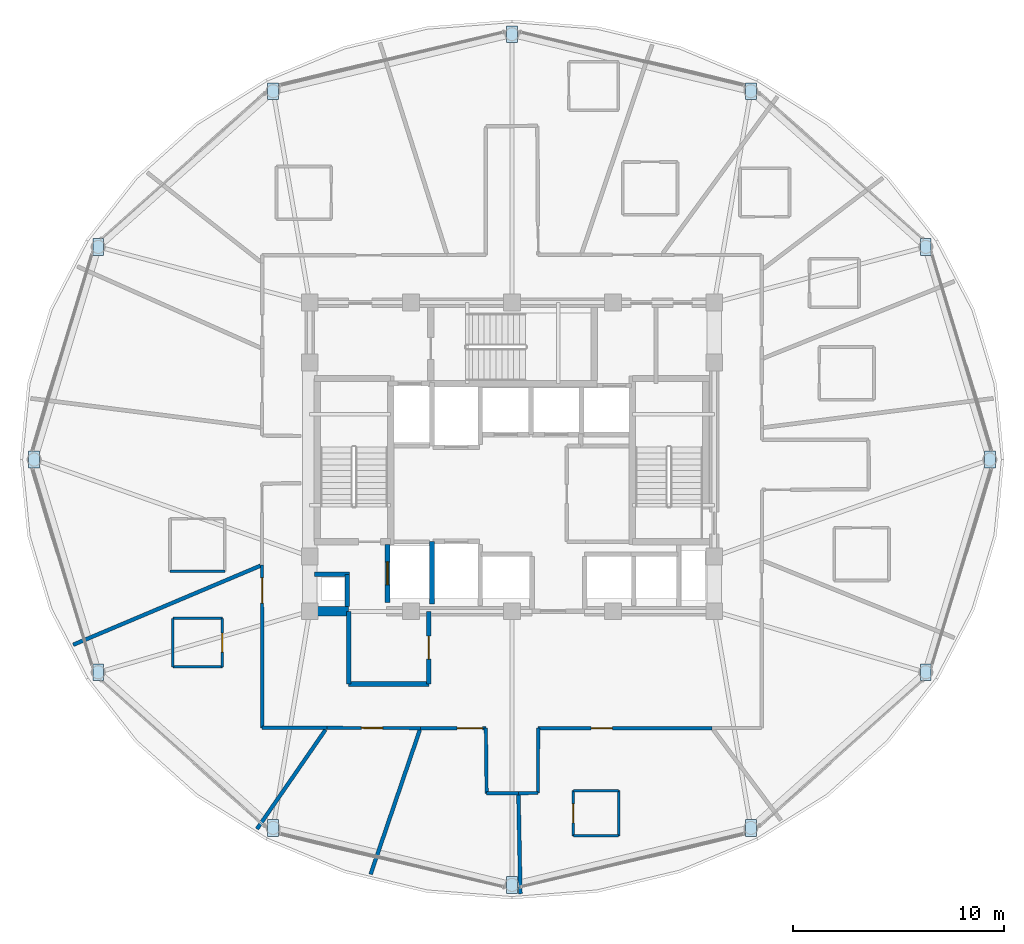
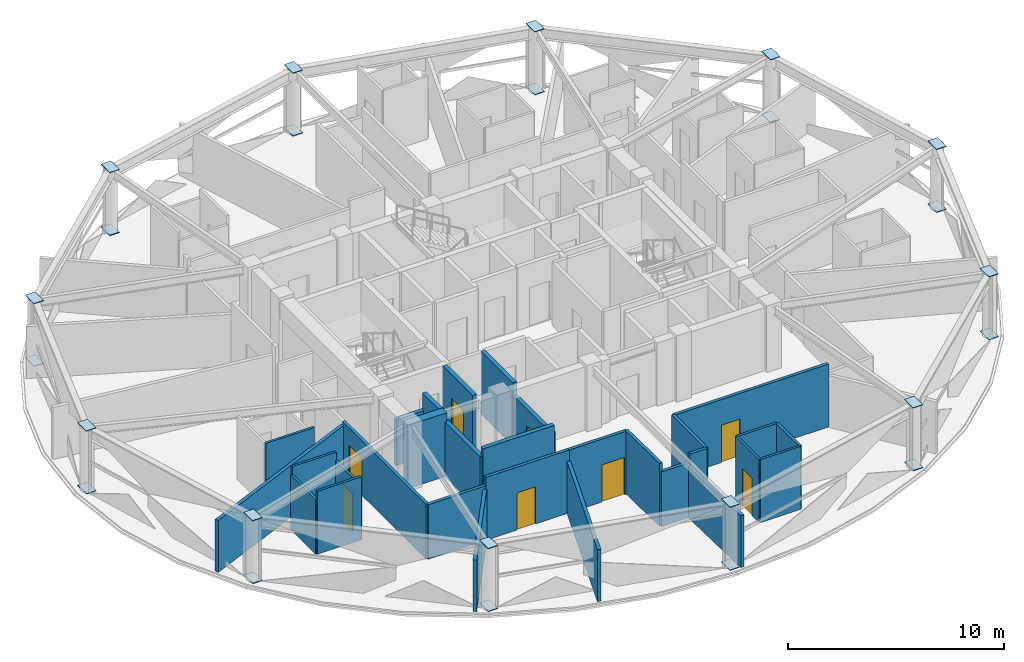
# One storey, part 22 of 30: 30 walls, 24 plates, 8 doors, 8 openings.
"""IFC4 building model written with IfcOpenShell, lengths in metres."""

import ifcopenshell
import ifcopenshell.guid

model = None  # the IFC model being written
_history = None  # IfcOwnerHistory: only IFC2X3 demands one
_inside = {}  # id of a spatial element -> (the spatial element, [elements in it])
_under = {}  # id of a project, library or spatial element -> (it, [spatial elements below it])
_declared = {}  # id of a project -> (the project, [libraries it declares])
_typed = {}  # id of a type object -> (the type object, [elements of that type])
_made_of = {}  # id of a material, layer set ... -> (it, [elements and type objects made of it])


def new_model(schema):
    """Start an empty IFC model of exactly this schema.

    Asked for "IFC4X3", IfcOpenShell would pick the latest addendum, in which some entities
    have other attributes; the version numbers below select the first issue.
    IFC2X3 requires an IfcOwnerHistory on every rooted entity: one is made here for all.
    """
    global model, _history
    if schema == "IFC4X3":
        model = ifcopenshell.file(schema_version=(4, 3, 0, 0))
    else:
        model = ifcopenshell.file(schema=schema)
    _inside.clear()
    _under.clear()
    _declared.clear()
    _typed.clear()
    _made_of.clear()
    _history = None
    if model.schema == "IFC2X3":
        org = make("IfcOrganization", Name="unknown")
        user = make(
            "IfcPersonAndOrganization",
            ThePerson=make("IfcPerson", FamilyName="unknown"),
            TheOrganization=org,
        )
        app = make(
            "IfcApplication",
            ApplicationDeveloper=org,
            Version="unknown",
            ApplicationFullName="unknown",
            ApplicationIdentifier="unknown",
        )
        _history = make(
            "IfcOwnerHistory",
            OwningUser=user,
            OwningApplication=app,
            ChangeAction="ADDED",
            CreationDate=0,
        )
    return model


def make(cls, **values):
    """One entity of the class cls with the attributes given. An attribute that is None is left unset."""
    return model.create_entity(
        cls, **{name: value for name, value in values.items() if value is not None}
    )


def rooted(cls, **values):
    """An entity with a GlobalId (a new one), such as an element, a storey or a relation."""
    return make(cls, GlobalId=ifcopenshell.guid.new(), OwnerHistory=_history, **values)


def si_unit(unit_type, name, prefix=None):
    """IfcSIUnit, for example si_unit("LENGTHUNIT", "METRE", prefix="MILLI")."""
    return make("IfcSIUnit", UnitType=unit_type, Prefix=prefix, Name=name)


def assignment(units):
    """IfcUnitAssignment: the units of a project."""
    return None if units is None else make("IfcUnitAssignment", Units=units)


def point(xyz):
    """IfcCartesianPoint."""
    return None if xyz is None else make("IfcCartesianPoint", Coordinates=xyz)


def direction(xyz):
    """IfcDirection."""
    return None if xyz is None else make("IfcDirection", DirectionRatios=xyz)


def frame(location, z_axis=None, x_axis=None):
    """IfcAxis2Placement3D, a coordinate frame: its origin and axes. An axis left out is left unset."""
    return make(
        "IfcAxis2Placement3D",
        Location=point(location),
        Axis=direction(z_axis),
        RefDirection=direction(x_axis),
    )


def frame_2d(location, x_axis=None):
    """IfcAxis2Placement2D, a coordinate frame in the plane: its origin and x axis."""
    return make(
        "IfcAxis2Placement2D", Location=point(location), RefDirection=direction(x_axis)
    )


def origin():
    """The frame at (0, 0, 0) with its axes left unset."""
    return frame((0.0, 0.0, 0.0))


def place(relative_to, where):
    """IfcLocalPlacement: puts the frame where relative to a parent placement (None: the world)."""
    return make(
        "IfcLocalPlacement", PlacementRelTo=relative_to, RelativePlacement=where
    )


def context(
    kind, dimensions, precision=None, world=None, true_north=None, identifier=None
):
    """IfcGeometricRepresentationContext, for example the 3D "Model" context."""
    return make(
        "IfcGeometricRepresentationContext",
        ContextIdentifier=identifier,
        ContextType=kind,
        CoordinateSpaceDimension=dimensions,
        Precision=precision,
        WorldCoordinateSystem=world,
        TrueNorth=true_north,
    )


def subcontext(parent, identifier, kind, view, scale=None):
    """IfcGeometricRepresentationSubContext, for example "Body" below "Model"."""
    return make(
        "IfcGeometricRepresentationSubContext",
        ContextIdentifier=identifier,
        ContextType=kind,
        ParentContext=parent,
        TargetScale=scale,
        TargetView=view,
    )


def project(units=None, contexts=None):
    """IfcProject with its units and contexts."""
    return rooted(
        "IfcProject",
        Name="project",
        RepresentationContexts=contexts,
        UnitsInContext=assignment(units),
    )


def spatial(cls, under=None, at=None, **own):
    """A site, building, storey or space (cls), placed at a placement, below another one or the project."""
    s = rooted(cls, ObjectPlacement=at, **own)
    if under is not None:
        _under.setdefault(under.id(), (under, []))[1].append(s)
    return s


def polyline(points):
    """IfcPolyline through the points."""
    return make("IfcPolyline", Points=[point(p) for p in points])


def profile(cls, at=None, kind="AREA", **sizes):
    """A parametric profile (cls). Its sizes go by their IFC names, for example OverallWidth=200.0."""
    return make(cls, ProfileType=kind, Position=at, **sizes)


def rectangle(**sizes):
    """IfcRectangleProfileDef."""
    return profile("IfcRectangleProfileDef", **sizes)


def outline(outer, holes=None, kind="AREA"):
    """IfcArbitraryClosedProfileDef: a profile drawn as a closed curve; with holes, ...WithVoids."""
    if holes is None:
        return make("IfcArbitraryClosedProfileDef", ProfileType=kind, OuterCurve=outer)
    return make(
        "IfcArbitraryProfileDefWithVoids",
        ProfileType=kind,
        OuterCurve=outer,
        InnerCurves=holes,
    )


def extrude(swept, where, along, depth):
    """IfcExtrudedAreaSolid: the profile swept, set in the frame where, extruded along a direction by depth."""
    return make(
        "IfcExtrudedAreaSolid",
        SweptArea=swept,
        Position=where,
        ExtrudedDirection=direction(along),
        Depth=depth,
    )


def shape(context_of_items, identifier, shape_type, items):
    """IfcShapeRepresentation: the items that make up one representation, for example the "Body"."""
    return make(
        "IfcShapeRepresentation",
        ContextOfItems=context_of_items,
        RepresentationIdentifier=identifier,
        RepresentationType=shape_type,
        Items=items,
    )


def material(Name=None, Category=None):
    """IfcMaterial."""
    return make("IfcMaterial", Name=Name, Category=Category)


def layer(
    of_material, thickness, ventilated=None, Name=None, Category=None, Priority=None
):
    """IfcMaterialLayer: one layer of a wall or slab, of a material (None: an air gap)."""
    return make(
        "IfcMaterialLayer",
        Material=of_material,
        LayerThickness=thickness,
        IsVentilated=ventilated,
        Name=Name,
        Category=Category,
        Priority=Priority,
    )


def layer_set(layers, Name=None):
    """IfcMaterialLayerSet."""
    return make("IfcMaterialLayerSet", MaterialLayers=layers, LayerSetName=Name)


def made_of(thing, what):
    """Note that an element or type object is made of a material, layer set ...; save() writes the relation."""
    if what is not None:
        _made_of.setdefault(what.id(), (what, []))[1].append(thing)
    return thing


def type_object(cls, material=None, **own):
    """A type object (cls), such as IfcWallType, which elements share."""
    return made_of(rooted(cls, **own), material)


def element(
    cls,
    number,
    at=None,
    inside=None,
    cuts=None,
    type_object=None,
    material=None,
    context=None,
    identifier="Body",
    shape_type=None,
    held_by="IfcProductDefinitionShape",
    body=None,
    shapes=None,
    **own,
):
    """One element of the class cls, such as IfcWall. Its Tag is "e" and its number.

    at: its placement. inside: the storey or other place that contains it. cuts: it is an
    opening in that element (IfcRelVoidsElement). A single representation is given by context,
    identifier, shape_type and body (its items); several are given by shapes. held_by: the class
    of the entity that holds the representations. save() writes the other relations.
    """
    e = rooted(cls, Tag="e%d" % number, ObjectPlacement=at, **own)
    if body is not None:
        shapes = [shape(context, identifier, shape_type, body)]
    if shapes is not None:
        e.Representation = make(held_by, Representations=shapes)
    if inside is not None:
        _inside.setdefault(inside.id(), (inside, []))[1].append(e)
    if cuts is not None:
        rooted(
            "IfcRelVoidsElement", RelatingBuildingElement=cuts, RelatedOpeningElement=e
        )
    if type_object is not None:
        _typed.setdefault(type_object.id(), (type_object, []))[1].append(e)
    return made_of(e, material)


def fill(opening, filler):
    """IfcRelFillsElement: the door or window that sits in an opening."""
    return rooted(
        "IfcRelFillsElement",
        RelatingOpeningElement=opening,
        RelatedBuildingElement=filler,
    )


def aggregate(whole, parts):
    """IfcRelAggregates: a whole, such as a stair, and the parts it consists of."""
    return rooted("IfcRelAggregates", RelatingObject=whole, RelatedObjects=parts)


def save(model, path):
    """Write the relations noted so far, then the file.

    IfcRelAggregates (storeys below a building ...), IfcRelContainedInSpatialStructure (elements
    in a storey), IfcRelDefinesByType, IfcRelAssociatesMaterial and IfcRelDeclares: one each for
    every whole, place, type object, material and project.
    """
    for whole, parts in _under.values():
        aggregate(whole, parts)
    for where, things in _inside.values():
        rooted(
            "IfcRelContainedInSpatialStructure",
            RelatedElements=things,
            RelatingStructure=where,
        )
    for kind, things in _typed.values():
        rooted("IfcRelDefinesByType", RelatedObjects=things, RelatingType=kind)
    for what, things in _made_of.values():
        rooted("IfcRelAssociatesMaterial", RelatedObjects=things, RelatingMaterial=what)
    for by, libraries in _declared.values():
        rooted("IfcRelDeclares", RelatingContext=by, RelatedDefinitions=libraries)
    model.write(path)


model = new_model("IFC4")

# Units and contexts
model_context = context("Model", 3, precision=1e-05, world=origin(), true_north=direction((0.0, 1.0)))
body_context = subcontext(model_context, "Body", "Model", "MODEL_VIEW")
ifc_project = project(units=[si_unit("LENGTHUNIT", "METRE"), si_unit("AREAUNIT", "SQUARE_METRE"), si_unit("VOLUMEUNIT", "CUBIC_METRE"), si_unit("PLANEANGLEUNIT", "RADIAN"), si_unit("MASSUNIT", "GRAM", prefix="KILO")], contexts=[model_context])

# Site, building, storey
site_placement = place(None, origin())
site = spatial("IfcSite", under=ifc_project, at=site_placement, CompositionType="ELEMENT")
building_placement = place(site_placement, origin())
building = spatial("IfcBuilding", under=site, at=building_placement, Name="Vantalir Tower", CompositionType="ELEMENT")
storey_placement = place(building_placement, frame((0.0, 0.0, 193.64990234375)))
storey = spatial("IfcBuildingStorey", under=building, at=storey_placement, Name="L48", CompositionType="ELEMENT", Elevation=193.64990234375)

# Plates
ifc_material_1 = material(Name="Steel S460", Category="steel")
ifc_layer_1 = layer(ifc_material_1, 0.031982421875)
ifc_layer_set_1 = layer_set([ifc_layer_1], Name="Steel S460")
plate_type = type_object("IfcPlateType", Name="PLT-KN-Z3", PredefinedType="USERDEFINED", material=ifc_layer_set_1)
for number, where, z_axis, x_axis, name in (
    (1, (53.916015625, 25.39990234375, 3.593994140625), (0.0, 0.0, 1.0), (0.0, -1.0, 0.0), "L48 Ring Column Top Cap RC01"),
    (2, (53.916015625, 25.39990234375, 0.052978515625), (0.0, 0.0, 1.0), (0.0, -1.0, 0.0), "L48 Ring Column Base Cap RC01"),
    (3, (50.8779296875, 35.493896484375, 3.593994140625), (0.0, 0.0, 1.0), (0.0, -1.0, 0.0), "L48 Ring Column Top Cap RC02"),
    (4, (50.8779296875, 35.493896484375, 0.052978515625), (0.0, 0.0, 1.0), (0.0, -1.0, 0.0), "L48 Ring Column Base Cap RC02"),
):
    element("IfcPlate", number, at=place(storey_placement, frame(where, z_axis=z_axis, x_axis=x_axis)), inside=storey, type_object=plate_type, Name=name, ObjectType="FLANGE_PLATE", PredefinedType="USERDEFINED", context=body_context, shape_type="SweptSolid", body=[
        extrude(outline(polyline([(0.0, 0.0), (0.7998046875, 0.0), (0.7998046875, 0.52001953125), (0.0, 0.52001953125), (0.0, 0.0)])), origin(), (0.0, 0.0, -1.0), 0.031982421875),
    ])
for number, where, z_axis, x_axis, name in (
    (5, (42.577880859375, 42.883056640625, 3.593994140625), (0.0, 0.0, 1.0), (0.0, -1.0, 0.0), "L48 Ring Column Top Cap RC03"),
    (6, (42.577880859375, 42.883056640625, 0.052978515625), (0.0, 0.0, 1.0), (0.0, -1.0, 0.0), "L48 Ring Column Base Cap RC03"),
):
    element("IfcPlate", number, at=place(storey_placement, frame(where, z_axis=z_axis, x_axis=x_axis)), inside=storey, type_object=plate_type, Name=name, ObjectType="FLANGE_PLATE", PredefinedType="USERDEFINED", context=body_context, shape_type="SweptSolid", body=[
        extrude(outline(polyline([(0.0, 0.0), (0.800048828125, 0.0), (0.800048828125, 0.52001953125), (0.0, 0.52001953125), (0.0, 0.0)])), origin(), (0.0, 0.0, -1.0), 0.031982421875),
    ])
for number, where, z_axis, x_axis, name in (
    (7, (31.239990234375, 45.587890625, 3.593994140625), (0.0, 0.0, 1.0), (0.0, -1.0, 0.0), "L48 Ring Column Top Cap RC04"),
    (8, (31.239990234375, 45.587890625, 0.052978515625), (0.0, 0.0, 1.0), (0.0, -1.0, 0.0), "L48 Ring Column Base Cap RC04"),
):
    element("IfcPlate", number, at=place(storey_placement, frame(where, z_axis=z_axis, x_axis=x_axis)), inside=storey, type_object=plate_type, Name=name, ObjectType="FLANGE_PLATE", PredefinedType="USERDEFINED", context=body_context, shape_type="SweptSolid", body=[
        extrude(outline(polyline([(0.0, 0.0), (0.7998046875, 0.0), (0.7998046875, 0.52001953125), (0.0, 0.52001953125), (0.0, 0.0)])), origin(), (0.0, 0.0, -1.0), 0.031982421875),
    ])
for number, where, z_axis, x_axis, name in (
    (9, (19.902099609375, 42.883056640625, 3.593994140625), (0.0, 0.0, 1.0), (0.0, -1.0, 0.0), "L48 Ring Column Top Cap RC05"),
    (10, (19.902099609375, 42.883056640625, 0.052978515625), (0.0, 0.0, 1.0), (0.0, -1.0, 0.0), "L48 Ring Column Base Cap RC05"),
):
    element("IfcPlate", number, at=place(storey_placement, frame(where, z_axis=z_axis, x_axis=x_axis)), inside=storey, type_object=plate_type, Name=name, ObjectType="FLANGE_PLATE", PredefinedType="USERDEFINED", context=body_context, shape_type="SweptSolid", body=[
        extrude(outline(polyline([(0.0, 0.0), (0.800048828125, 0.0), (0.800048828125, 0.52001953125), (0.0, 0.52001953125), (0.0, 0.0)])), origin(), (0.0, 0.0, -1.0), 0.031982421875),
    ])
for number, where, z_axis, x_axis, name in (
    (11, (11.60205078125, 35.493896484375, 3.593994140625), (0.0, 0.0, 1.0), (0.0, -1.0, 0.0), "L48 Ring Column Top Cap RC06"),
    (12, (11.60205078125, 35.493896484375, 0.052978515625), (0.0, 0.0, 1.0), (0.0, -1.0, 0.0), "L48 Ring Column Base Cap RC06"),
    (13, (8.56396484375, 25.39990234375, 3.593994140625), (0.0, 0.0, 1.0), (0.0, -1.0, 0.0), "L48 Ring Column Top Cap RC07"),
    (14, (8.56396484375, 25.39990234375, 0.052978515625), (0.0, 0.0, 1.0), (0.0, -1.0, 0.0), "L48 Ring Column Base Cap RC07"),
    (15, (11.60205078125, 15.305908203125, 3.593994140625), (0.0, 0.0, 1.0), (0.0, -1.0, 0.0), "L48 Ring Column Top Cap RC08"),
    (16, (11.60205078125, 15.305908203125, 0.052978515625), (0.0, 0.0, 1.0), (0.0, -1.0, 0.0), "L48 Ring Column Base Cap RC08"),
):
    element("IfcPlate", number, at=place(storey_placement, frame(where, z_axis=z_axis, x_axis=x_axis)), inside=storey, type_object=plate_type, Name=name, ObjectType="FLANGE_PLATE", PredefinedType="USERDEFINED", context=body_context, shape_type="SweptSolid", body=[
        extrude(outline(polyline([(0.0, 0.0), (0.7998046875, 0.0), (0.7998046875, 0.52001953125), (0.0, 0.52001953125), (0.0, 0.0)])), origin(), (0.0, 0.0, -1.0), 0.031982421875),
    ])
for number, where, z_axis, x_axis, name in (
    (17, (19.902099609375, 7.9169921875, 3.593994140625), (0.0, 0.0, 1.0), (0.0, -1.0, 0.0), "L48 Ring Column Top Cap RC09"),
    (18, (19.902099609375, 7.9169921875, 0.052978515625), (0.0, 0.0, 1.0), (0.0, -1.0, 0.0), "L48 Ring Column Base Cap RC09"),
):
    element("IfcPlate", number, at=place(storey_placement, frame(where, z_axis=z_axis, x_axis=x_axis)), inside=storey, type_object=plate_type, Name=name, ObjectType="FLANGE_PLATE", PredefinedType="USERDEFINED", context=body_context, shape_type="SweptSolid", body=[
        extrude(outline(polyline([(0.0, 0.0), (0.800048828125, 0.0), (0.800048828125, 0.52001953125), (0.0, 0.52001953125), (0.0, 0.0)])), origin(), (0.0, 0.0, -1.0), 0.031982421875),
    ])
for number, where, z_axis, x_axis, name in (
    (19, (31.239990234375, 5.2119140625, 3.593994140625), (0.0, 0.0, 1.0), (0.0, -1.0, 0.0), "L48 Ring Column Top Cap RC10"),
    (20, (31.239990234375, 5.2119140625, 0.052978515625), (0.0, 0.0, 1.0), (0.0, -1.0, 0.0), "L48 Ring Column Base Cap RC10"),
):
    element("IfcPlate", number, at=place(storey_placement, frame(where, z_axis=z_axis, x_axis=x_axis)), inside=storey, type_object=plate_type, Name=name, ObjectType="FLANGE_PLATE", PredefinedType="USERDEFINED", context=body_context, shape_type="SweptSolid", body=[
        extrude(outline(polyline([(0.0, 0.0), (0.7998046875, 0.0), (0.7998046875, 0.52001953125), (0.0, 0.52001953125), (0.0, 0.0)])), origin(), (0.0, 0.0, -1.0), 0.031982421875),
    ])
for number, where, z_axis, x_axis, name in (
    (21, (42.577880859375, 7.9169921875, 3.593994140625), (0.0, 0.0, 1.0), (0.0, -1.0, 0.0), "L48 Ring Column Top Cap RC11"),
    (22, (42.577880859375, 7.9169921875, 0.052978515625), (0.0, 0.0, 1.0), (0.0, -1.0, 0.0), "L48 Ring Column Base Cap RC11"),
):
    element("IfcPlate", number, at=place(storey_placement, frame(where, z_axis=z_axis, x_axis=x_axis)), inside=storey, type_object=plate_type, Name=name, ObjectType="FLANGE_PLATE", PredefinedType="USERDEFINED", context=body_context, shape_type="SweptSolid", body=[
        extrude(outline(polyline([(0.0, 0.0), (0.800048828125, 0.0), (0.800048828125, 0.52001953125), (0.0, 0.52001953125), (0.0, 0.0)])), origin(), (0.0, 0.0, -1.0), 0.031982421875),
    ])
for number, where, z_axis, x_axis, name in (
    (23, (50.8779296875, 15.305908203125, 3.593994140625), (0.0, 0.0, 1.0), (0.0, -1.0, 0.0), "L48 Ring Column Top Cap RC12"),
    (24, (50.8779296875, 15.305908203125, 0.052978515625), (0.0, 0.0, 1.0), (0.0, -1.0, 0.0), "L48 Ring Column Base Cap RC12"),
):
    element("IfcPlate", number, at=place(storey_placement, frame(where, z_axis=z_axis, x_axis=x_axis)), inside=storey, type_object=plate_type, Name=name, ObjectType="FLANGE_PLATE", PredefinedType="USERDEFINED", context=body_context, shape_type="SweptSolid", body=[
        extrude(outline(polyline([(0.0, 0.0), (0.7998046875, 0.0), (0.7998046875, 0.52001953125), (0.0, 0.52001953125), (0.0, 0.0)])), origin(), (0.0, 0.0, -1.0), 0.031982421875),
    ])

# Walls
ifc_material_2 = material(Name="Moisture-resistant en-suite partition", Category="gypsum")
ifc_layer_2 = layer(ifc_material_2, 0.125)
ifc_layer_set_2 = layer_set([ifc_layer_2], Name="Moisture-resistant en-suite partition")
wall_type_1 = type_object("IfcWallType", Name="WL-BATH-125", PredefinedType="PARTITIONING", material=ifc_layer_set_2)
wall_1_placement = place(storey_placement, frame((15.26806640625, 19.697021484375, 0.0), z_axis=(0.0, 0.0, 1.0), x_axis=(1.0, 0.0, 0.0)))
element("IfcWall", 25, at=wall_1_placement, inside=storey, type_object=wall_type_1, Name="L48 En-suite 09 South Wall", PredefinedType="PARTITIONING", context=body_context, shape_type="SweptSolid", body=[
    extrude(rectangle(XDim=2.599853515625, YDim=0.125, at=frame_2d((1.2998046875, 0.0))), origin(), (0.0, 0.0, 1.0), 3.550048828125),
])
for number, where, z_axis, x_axis, name in (
    (26, (15.39892578125, 15.1669921875, 0.0), (0.0, 0.0, 1.0), (1.0, 0.0, 0.0), "L48 En-suite 10 South Wall"),
    (27, (15.39892578125, 17.467041015625, 0.0), (0.0, 0.0, 1.0), (1.0, 0.0, 0.0), "L48 En-suite 10 North Wall"),
):
    element("IfcWall", number, at=place(storey_placement, frame(where, z_axis=z_axis, x_axis=x_axis)), inside=storey, type_object=wall_type_1, Name=name, PredefinedType="PARTITIONING", context=body_context, shape_type="SweptSolid", body=[
        extrude(rectangle(XDim=2.35009765625, YDim=0.125, at=frame_2d((1.175048828125, 0.0))), origin(), (0.0, 0.0, 1.0), 3.550048828125),
    ])
wall_2_placement = place(storey_placement, frame((15.39892578125, 15.1669921875, 0.0), z_axis=(0.0, 0.0, 1.0), x_axis=(0.0, 1.0, 0.0)))
element("IfcWall", 28, at=wall_2_placement, inside=storey, type_object=wall_type_1, Name="L48 En-suite 10 West Wall", PredefinedType="PARTITIONING", context=body_context, shape_type="SweptSolid", body=[
    extrude(rectangle(XDim=2.300048828125, YDim=0.125, at=frame_2d((1.14990234375, 0.0))), origin(), (0.0, 0.0, 1.0), 3.0810546875),
])

# Wall, opening, door
wall_3_placement = place(storey_placement, frame((17.7490234375, 15.1669921875, 0.0), z_axis=(0.0, 0.0, 1.0), x_axis=(0.0, 1.0, 0.0)))
wall_3 = element("IfcWall", 29, at=wall_3_placement, inside=storey, type_object=wall_type_1, Name="L48 En-suite 10 East Wall", PredefinedType="PARTITIONING", context=body_context, shape_type="SweptSolid", body=[
    extrude(rectangle(XDim=2.300048828125, YDim=0.125, at=frame_2d((1.14990234375, 0.0))), origin(), (0.0, 0.0, 1.0), 3.0810546875),
])
opening_1_placement = place(wall_3_placement, frame((0.699951171875, 0.0, 0.0)))
opening_1 = element("IfcOpeningElement", 30, at=opening_1_placement, cuts=wall_3, Name="Opening D-WC", PredefinedType="OPENING", context=body_context, shape_type="SweptSolid", body=[
    extrude(rectangle(XDim=0.89990234375, YDim=2.10009765625, at=frame_2d((0.449951171875, 1.050048828125))), frame((0.0, 0.072509765625, 0.0), z_axis=(0.0, -1.0, 0.0), x_axis=(1.0, 0.0, 0.0)), (0.0, 0.0, 1.0), 0.14501953125),
])
ifc_material_3 = material(Name="Moisture-resistant hardwood door", Category="wood")
door_type_1 = type_object("IfcDoorType", Name="DR-ENSUITE-900", OperationType="NOTDEFINED", PredefinedType="DOOR", material=ifc_material_3)
door_1_placement = place(opening_1_placement, origin())
door_1 = element("IfcDoor", 31, at=door_1_placement, inside=storey, type_object=door_type_1, Name="L48 En-suite 10 Door", OperationType="SINGLE_SWING_LEFT", OverallHeight=2.10009765625, OverallWidth=0.89990234375, PredefinedType="DOOR", context=body_context, shape_type="SweptSolid", body=[
    extrude(rectangle(XDim=0.89990234375, YDim=2.10009765625, at=frame_2d((0.449951171875, 1.050048828125))), frame((0.0, 0.02490234375, 0.0), z_axis=(0.0, -1.0, 0.0), x_axis=(1.0, 0.0, 0.0)), (0.0, 0.0, 1.0), 0.050048828125),
])
fill(opening_1, door_1)

# Walls
for number, where, z_axis, x_axis, name in (
    (32, (34.4150390625, 7.137939453125, 0.0), (0.0, 0.0, 1.0), (1.0, 0.0, 0.0), "L48 En-suite 13 South Wall"),
    (33, (34.4150390625, 9.2880859375, 0.0), (0.0, 0.0, 1.0), (1.0, 0.0, 0.0), "L48 En-suite 13 North Wall"),
):
    element("IfcWall", number, at=place(storey_placement, frame(where, z_axis=z_axis, x_axis=x_axis)), inside=storey, type_object=wall_type_1, Name=name, PredefinedType="PARTITIONING", context=body_context, shape_type="SweptSolid", body=[
        extrude(rectangle(XDim=2.14990234375, YDim=0.125, at=frame_2d((1.074951171875, 0.0))), origin(), (0.0, 0.0, 1.0), 3.550048828125),
    ])

# Wall, opening, door
wall_4_placement = place(storey_placement, frame((34.4150390625, 7.137939453125, 0.0), z_axis=(0.0, 0.0, 1.0), x_axis=(0.0, 1.0, 0.0)))
wall_4 = element("IfcWall", 34, at=wall_4_placement, inside=storey, type_object=wall_type_1, Name="L48 En-suite 13 West Wall", PredefinedType="PARTITIONING", context=body_context, shape_type="SweptSolid", body=[
    extrude(rectangle(XDim=2.150146484375, YDim=0.125, at=frame_2d((1.0751953125, 0.0))), origin(), (0.0, 0.0, 1.0), 3.550048828125),
])
opening_2_placement = place(wall_4_placement, frame((0.625, 0.0, 0.0)))
opening_2 = element("IfcOpeningElement", 35, at=opening_2_placement, cuts=wall_4, Name="Opening D-WC", PredefinedType="OPENING", context=body_context, shape_type="SweptSolid", body=[
    extrude(rectangle(XDim=0.89990234375, YDim=2.10009765625, at=frame_2d((0.449951171875, 1.050048828125))), frame((0.0, 0.072509765625, 0.0), z_axis=(0.0, -1.0, 0.0), x_axis=(1.0, 0.0, 0.0)), (0.0, 0.0, 1.0), 0.14501953125),
])
door_2_placement = place(opening_2_placement, frame((0.89990234375, 0.0, 0.0), z_axis=(0.0, 0.0, 1.0), x_axis=(-1.0, 0.0, 0.0)))
door_2 = element("IfcDoor", 36, at=door_2_placement, inside=storey, type_object=door_type_1, Name="L48 En-suite 13 Door", OperationType="SINGLE_SWING_RIGHT", OverallHeight=2.10009765625, OverallWidth=0.89990234375, PredefinedType="DOOR", context=body_context, shape_type="SweptSolid", body=[
    extrude(rectangle(XDim=0.89990234375, YDim=2.10009765625, at=frame_2d((0.449951171875, 1.050048828125))), frame((0.0, 0.02490234375, 0.0), z_axis=(0.0, -1.0, 0.0), x_axis=(1.0, 0.0, 0.0)), (0.0, 0.0, 1.0), 0.050048828125),
])
fill(opening_2, door_2)

# Walls
wall_5_placement = place(storey_placement, frame((36.56494140625, 7.137939453125, 0.0), z_axis=(0.0, 0.0, 1.0), x_axis=(0.0, 1.0, 0.0)))
element("IfcWall", 37, at=wall_5_placement, inside=storey, type_object=wall_type_1, Name="L48 En-suite 13 East Wall", PredefinedType="PARTITIONING", context=body_context, shape_type="SweptSolid", body=[
    extrude(rectangle(XDim=2.150146484375, YDim=0.125, at=frame_2d((1.0751953125, 0.0))), origin(), (0.0, 0.0, 1.0), 3.550048828125),
])
ifc_material_4 = material(Name="Concrete C50/60", Category="concrete")
ifc_layer_3 = layer(ifc_material_4, 0.449951171875)
ifc_layer_set_3 = layer_set([ifc_layer_3], Name="Concrete C50/60")
wall_type_2 = type_object("IfcWallType", Name="WL-CORE-450", PredefinedType="SHEAR", material=ifc_layer_set_3)
wall_6_placement = place(storey_placement, frame((21.675048828125, 17.800048828125, 0.0), z_axis=(0.0, 0.0, 1.0), x_axis=(1.0, 0.0, 0.0)))
element("IfcWall", 38, at=wall_6_placement, inside=storey, type_object=wall_type_2, Name="L48 Core Shear Wall South-West", PredefinedType="SHEAR", context=body_context, shape_type="SweptSolid", body=[
    extrude(rectangle(XDim=2.074951171875, YDim=0.449951171875, at=frame_2d((1.03759765625, 0.0))), origin(), (0.0, 0.0, 1.0), 3.570068359375),
])

# Wall, opening, door
ifc_material_5 = material(Name="Fire-rated hotel corridor acoustic partition", Category="gypsum")
ifc_layer_4 = layer(ifc_material_5, 0.159912109375)
ifc_layer_set_4 = layer_set([ifc_layer_4], Name="Fire-rated hotel corridor acoustic partition")
wall_type_3 = type_object("IfcWallType", Name="WL-CORR-160", PredefinedType="PARTITIONING", material=ifc_layer_set_4)
wall_7_placement = place(storey_placement, frame((40.99609375, 12.257080078125, 0.0), z_axis=(0.0, 0.0, 1.0), x_axis=(-0.999999632298, -0.000857556535, 0.0)))
wall_7 = element("IfcWall", 39, at=wall_7_placement, inside=storey, type_object=wall_type_3, Name="L48 Corridor Partition 24", PredefinedType="PARTITIONING", context=body_context, shape_type="SweptSolid", body=[
    extrude(rectangle(XDim=8.256103515625, YDim=0.159912109375, at=frame_2d((4.1279296875, 0.0))), origin(), (0.0, 0.0, 1.0), 3.550048828125),
])
opening_3_placement = place(wall_7_placement, frame((4.735107421875, 0.0, 0.0)))
opening_3 = element("IfcOpeningElement", 40, at=opening_3_placement, cuts=wall_7, Name="Opening D-GUEST", PredefinedType="OPENING", context=body_context, shape_type="SweptSolid", body=[
    extrude(rectangle(XDim=1.0, YDim=2.10009765625, at=frame_2d((0.5, 1.050048828125))), frame((0.0, 0.08984375, 0.0), z_axis=(0.0, -1.0, 0.0), x_axis=(1.0, 0.0, 0.0)), (0.0, 0.0, 1.0), 0.179931640625),
])
ifc_material_6 = material(Name="Solid-core teak veneer acoustic fire door", Category="wood")
door_type_2 = type_object("IfcDoorType", Name="DR-GUEST-ENTRY-1000", OperationType="NOTDEFINED", PredefinedType="DOOR", material=ifc_material_6)
door_3_placement = place(opening_3_placement, origin())
door_3 = element("IfcDoor", 41, at=door_3_placement, inside=storey, type_object=door_type_2, Name="L48 Twin Queen Hotel Room 13 Door", OperationType="SINGLE_SWING_LEFT", OverallHeight=2.10009765625, OverallWidth=1.0, PredefinedType="DOOR", context=body_context, shape_type="SweptSolid", body=[
    extrude(rectangle(XDim=1.0, YDim=2.10009765625, at=frame_2d((0.5, 1.050048828125))), frame((0.0, 0.02490234375, 0.0), z_axis=(0.0, -1.0, 0.0), x_axis=(1.0, 0.0, 0.0)), (0.0, 0.0, 1.0), 0.050048828125),
])
fill(opening_3, door_3)

# Walls
wall_8_placement = place(storey_placement, frame((32.739990234375, 12.25, 0.0), z_axis=(0.0, 0.0, 1.0), x_axis=(-0.002937661004, -0.999995685065, 0.0)))
element("IfcWall", 42, at=wall_8_placement, inside=storey, type_object=wall_type_3, Name="L48 Corridor Partition 25", PredefinedType="PARTITIONING", context=body_context, shape_type="SweptSolid", body=[
    extrude(rectangle(XDim=3.074951171875, YDim=0.159912109375, at=frame_2d((1.53759765625, 0.0))), origin(), (0.0, 0.0, 1.0), 3.550048828125),
])
wall_9_placement = place(storey_placement, frame((32.73095703125, 9.175048828125, 0.0), z_axis=(0.0, 0.0, 1.0), x_axis=(-0.999978279482, -0.006590945686, 0.0)))
element("IfcWall", 43, at=wall_9_placement, inside=storey, type_object=wall_type_3, Name="L48 Corridor Partition 26", PredefinedType="PARTITIONING", context=body_context, shape_type="SweptSolid", body=[
    extrude(rectangle(XDim=0.926025390625, YDim=0.159912109375, at=frame_2d((0.462890625, 0.0))), origin(), (0.0, 0.0, 1.0), 3.550048828125),
])
wall_10_placement = place(storey_placement, frame((31.804931640625, 9.1689453125, 0.0), z_axis=(0.0, 0.0, 1.0), x_axis=(-0.999982083866, -0.005985979146, 0.0)))
element("IfcWall", 44, at=wall_10_placement, inside=storey, type_object=wall_type_3, Name="L48 Corridor Partition 27", PredefinedType="PARTITIONING", context=body_context, shape_type="SweptSolid", body=[
    extrude(rectangle(XDim=1.509033203125, YDim=0.159912109375, at=frame_2d((0.75439453125, 0.0))), origin(), (0.0, 0.0, 1.0), 3.0810546875),
])
wall_11_placement = place(storey_placement, frame((30.2958984375, 9.159912109375, 0.0), z_axis=(0.0, 0.0, 1.0), x_axis=(-0.011613343347, 0.999932562854, 0.0)))
element("IfcWall", 45, at=wall_11_placement, inside=storey, type_object=wall_type_3, Name="L48 Corridor Partition 28", PredefinedType="PARTITIONING", context=body_context, shape_type="SweptSolid", body=[
    extrude(rectangle(XDim=3.09033203125, YDim=0.159912109375, at=frame_2d((1.545166015625, 0.0))), origin(), (0.0, 0.0, 1.0), 3.550048828125),
])

# Wall, opening, door
wall_12_placement = place(storey_placement, frame((30.260009765625, 12.25, 0.0), z_axis=(0.0, 0.0, 1.0), x_axis=(-0.999998067982, 0.001965714082, 0.0)))
wall_12 = element("IfcWall", 46, at=wall_12_placement, inside=storey, type_object=wall_type_3, Name="L48 Corridor Partition 29", PredefinedType="PARTITIONING", context=body_context, shape_type="SweptSolid", body=[
    extrude(rectangle(XDim=3.10498046875, YDim=0.159912109375, at=frame_2d((1.552490234375, 0.0))), origin(), (0.0, 0.0, 1.0), 3.550048828125),
])
opening_4_placement = place(wall_12_placement, frame((0.159912109375, 0.0, 0.0)))
opening_4 = element("IfcOpeningElement", 47, at=opening_4_placement, cuts=wall_12, Name="Opening D-STE", PredefinedType="OPENING", context=body_context, shape_type="SweptSolid", body=[
    extrude(rectangle(XDim=1.199951171875, YDim=2.10009765625, at=frame_2d((0.60009765625, 1.050048828125))), frame((0.0, 0.08984375, 0.0), z_axis=(0.0, -1.0, 0.0), x_axis=(1.0, 0.0, 0.0)), (0.0, 0.0, 1.0), 0.179931640625),
])
ifc_material_7 = material(Name="Solid-core teak veneer suite entrance door", Category="wood")
door_type_3 = type_object("IfcDoorType", Name="DR-SUITE-ENTRY-1200", OperationType="NOTDEFINED", PredefinedType="DOOR", material=ifc_material_7)
door_4_placement = place(opening_4_placement, origin())
door_4 = element("IfcDoor", 48, at=door_4_placement, inside=storey, type_object=door_type_3, Name="L48 Executive Sky Boardroom 12 Door", OperationType="SINGLE_SWING_RIGHT", OverallHeight=2.10009765625, OverallWidth=1.199951171875, PredefinedType="DOOR", context=body_context, shape_type="SweptSolid", body=[
    extrude(rectangle(XDim=1.199951171875, YDim=2.10009765625, at=frame_2d((0.60009765625, 1.050048828125))), frame((0.0, 0.02490234375, 0.0), z_axis=(0.0, -1.0, 0.0), x_axis=(1.0, 0.0, 0.0)), (0.0, 0.0, 1.0), 0.050048828125),
])
fill(opening_4, door_4)

wall_13_placement = place(storey_placement, frame((27.155029296875, 12.256103515625, 0.0), z_axis=(0.0, 0.0, 1.0), x_axis=(-0.999998046941, 0.001976389223, 0.0)))
wall_13 = element("IfcWall", 49, at=wall_13_placement, inside=storey, type_object=wall_type_3, Name="L48 Corridor Partition 30", PredefinedType="PARTITIONING", context=body_context, shape_type="SweptSolid", body=[
    extrude(rectangle(XDim=4.447021484375, YDim=0.159912109375, at=frame_2d((2.2236328125, 0.0))), origin(), (0.0, 0.0, 1.0), 3.550048828125),
])
opening_5_placement = place(wall_13_placement, frame((1.798095703125, 0.0, 0.0)))
opening_5 = element("IfcOpeningElement", 50, at=opening_5_placement, cuts=wall_13, Name="Opening D-GUEST", PredefinedType="OPENING", context=body_context, shape_type="SweptSolid", body=[
    extrude(rectangle(XDim=1.0, YDim=2.10009765625, at=frame_2d((0.5, 1.050048828125))), frame((0.0, 0.08984375, 0.0), z_axis=(0.0, -1.0, 0.0), x_axis=(1.0, 0.0, 0.0)), (0.0, 0.0, 1.0), 0.179931640625),
])
door_5_placement = place(opening_5_placement, origin())
door_5 = element("IfcDoor", 51, at=door_5_placement, inside=storey, type_object=door_type_2, Name="L48 Executive Business Study 11 Door", OperationType="SINGLE_SWING_LEFT", OverallHeight=2.10009765625, OverallWidth=1.0, PredefinedType="DOOR", context=body_context, shape_type="SweptSolid", body=[
    extrude(rectangle(XDim=1.0, YDim=2.10009765625, at=frame_2d((0.5, 1.050048828125))), frame((0.0, 0.02490234375, 0.0), z_axis=(0.0, -1.0, 0.0), x_axis=(1.0, 0.0, 0.0)), (0.0, 0.0, 1.0), 0.050048828125),
])
fill(opening_5, door_5)

# Wall
wall_14_placement = place(storey_placement, frame((22.7080078125, 12.264892578125, 0.0), z_axis=(0.0, 0.0, 1.0), x_axis=(-0.999998021275, 0.001989333217, 0.0)))
element("IfcWall", 52, at=wall_14_placement, inside=storey, type_object=wall_type_3, Name="L48 Corridor Partition 31", PredefinedType="PARTITIONING", context=body_context, shape_type="SweptSolid", body=[
    extrude(rectangle(XDim=3.068115234375, YDim=0.159912109375, at=frame_2d((1.5341796875, 0.0))), origin(), (0.0, 0.0, 1.0), 3.0810546875),
])

# Wall, opening, door
wall_15_placement = place(storey_placement, frame((19.639892578125, 12.27099609375, 0.0), z_axis=(0.0, 0.0, 1.0), x_axis=(-0.000379398626, 0.999999928028, 0.0)))
wall_15 = element("IfcWall", 53, at=wall_15_placement, inside=storey, type_object=wall_type_3, Name="L48 Corridor Partition 32", PredefinedType="PARTITIONING", context=body_context, shape_type="SweptSolid", body=[
    extrude(rectangle(XDim=7.721923828125, YDim=0.159912109375, at=frame_2d((3.86083984375, 0.0))), origin(), (0.0, 0.0, 1.0), 3.0810546875),
])
opening_6_placement = place(wall_15_placement, frame((5.9189453125, 0.0, 0.0)))
opening_6 = element("IfcOpeningElement", 54, at=opening_6_placement, cuts=wall_15, Name="Opening D-STE", PredefinedType="OPENING", context=body_context, shape_type="SweptSolid", body=[
    extrude(rectangle(XDim=1.199951171875, YDim=2.10009765625, at=frame_2d((0.60009765625, 1.050048828125))), frame((0.0, 0.08984375, 0.0), z_axis=(0.0, -1.0, 0.0), x_axis=(1.0, 0.0, 0.0)), (0.0, 0.0, 1.0), 0.179931640625),
])
door_6_placement = place(opening_6_placement, origin())
door_6 = element("IfcDoor", 55, at=door_6_placement, inside=storey, type_object=door_type_3, Name="L48 Corner Panorama Hotel Suite 10 Door", OperationType="SINGLE_SWING_RIGHT", OverallHeight=2.10009765625, OverallWidth=1.199951171875, PredefinedType="DOOR", context=body_context, shape_type="SweptSolid", body=[
    extrude(rectangle(XDim=1.199951171875, YDim=2.10009765625, at=frame_2d((0.60009765625, 1.050048828125))), frame((0.0, 0.02490234375, 0.0), z_axis=(0.0, -1.0, 0.0), x_axis=(1.0, 0.0, 0.0)), (0.0, 0.0, 1.0), 0.050048828125),
])
fill(opening_6, door_6)

# Walls
ifc_material_8 = material(Name="Concrete blockwork with fireboard lining", Category="masonry")
ifc_layer_5 = layer(ifc_material_8, 0.219970703125)
ifc_layer_set_5 = layer_set([ifc_layer_5], Name="Concrete blockwork with fireboard lining")
wall_type_4 = type_object("IfcWallType", Name="WL-FFL-220", PredefinedType="PARTITIONING", material=ifc_layer_set_5)
wall_16_placement = place(storey_placement, frame((23.679931640625, 18.02490234375, 0.0), z_axis=(0.0, 0.0, 1.0), x_axis=(0.0, 1.0, 0.0)))
element("IfcWall", 56, at=wall_16_placement, inside=storey, type_object=wall_type_4, Name="L48 West MEP Riser Wall E", PredefinedType="PARTITIONING", context=body_context, shape_type="SweptSolid", body=[
    extrude(rectangle(XDim=1.525146484375, YDim=0.219970703125, at=frame_2d((0.7626953125, 0.0))), origin(), (0.0, 0.0, 1.0), 3.550048828125),
])
wall_17_placement = place(storey_placement, frame((22.125, 19.550048828125, 0.0), z_axis=(0.0, 0.0, 1.0), x_axis=(1.0, 0.0, 0.0)))
element("IfcWall", 57, at=wall_17_placement, inside=storey, type_object=wall_type_4, Name="L48 West MEP Riser Wall N", PredefinedType="PARTITIONING", context=body_context, shape_type="SweptSolid", body=[
    extrude(rectangle(XDim=1.6650390625, YDim=0.219970703125, at=frame_2d((0.83251953125, 0.0))), origin(), (0.0, 0.0, 1.0), 2.59521484375),
])

# Wall, opening, door
wall_18_placement = place(storey_placement, frame((25.590087890625, 18.219970703125, 0.0), z_axis=(0.0, 0.0, 1.0), x_axis=(0.0, 1.0, 0.0)))
wall_18 = element("IfcWall", 58, at=wall_18_placement, inside=storey, type_object=wall_type_4, Name="L48 Lift FL1 Shaft Front Wall", PredefinedType="PARTITIONING", context=body_context, shape_type="SweptSolid", body=[
    extrude(rectangle(XDim=2.760009765625, YDim=0.219970703125, at=frame_2d((1.3798828125, 0.0))), origin(), (0.0, 0.0, 1.0), 3.550048828125),
])
opening_7_placement = place(wall_18_placement, frame((0.830078125, 0.0, 0.0)))
opening_7 = element("IfcOpeningElement", 59, at=opening_7_placement, cuts=wall_18, Name="Opening LD-FL1", PredefinedType="OPENING", context=body_context, shape_type="SweptSolid", body=[
    extrude(rectangle(XDim=1.10009765625, YDim=2.199951171875, at=frame_2d((0.550048828125, 1.10009765625))), frame((0.0, 0.119873046875, 0.0), z_axis=(0.0, -1.0, 0.0), x_axis=(1.0, 0.0, 0.0)), (0.0, 0.0, 1.0), 0.239990234375),
])
ifc_material_9 = material(Name="Brushed stainless-steel sliding lift landing door", Category="steel")
door_type_4 = type_object("IfcDoorType", Name="DR-LIFT-LANDING-1100", OperationType="DOUBLE_DOOR_SLIDING", PredefinedType="DOOR", material=ifc_material_9)
door_7_placement = place(opening_7_placement, origin())
door_7 = element("IfcDoor", 60, at=door_7_placement, inside=storey, type_object=door_type_4, Name="L48 Lift Landing Door FL1", OperationType="DOUBLE_DOOR_SLIDING", OverallHeight=2.199951171875, OverallWidth=1.10009765625, PredefinedType="DOOR", context=body_context, shape_type="SweptSolid", body=[
    extrude(rectangle(XDim=1.10009765625, YDim=2.199951171875, at=frame_2d((0.550048828125, 1.10009765625))), frame((0.0, 0.02490234375, 0.0), z_axis=(0.0, -1.0, 0.0), x_axis=(1.0, 0.0, 0.0)), (0.0, 0.0, 1.0), 0.050048828125),
])
fill(opening_7, door_7)

# Walls
wall_19_placement = place(storey_placement, frame((27.699951171875, 18.14990234375, 0.0), z_axis=(0.0, 0.0, 1.0), x_axis=(0.0, 1.0, 0.0)))
element("IfcWall", 61, at=wall_19_placement, inside=storey, type_object=wall_type_4, Name="L48 Fire Lift FL1 Dividing Wall", PredefinedType="PARTITIONING", context=body_context, shape_type="SweptSolid", body=[
    extrude(rectangle(XDim=2.9501953125, YDim=0.219970703125, at=frame_2d((1.47509765625, 0.0))), origin(), (0.0, 0.0, 1.0), 3.550048828125),
])
wall_20_placement = place(storey_placement, frame((23.75, 14.35009765625, 0.0), z_axis=(0.0, 0.0, 1.0), x_axis=(0.0, 1.0, 0.0)))
element("IfcWall", 62, at=wall_20_placement, inside=storey, type_object=wall_type_4, Name="L48 Firefighting Lobby West Outer W", PredefinedType="PARTITIONING", context=body_context, shape_type="SweptSolid", body=[
    extrude(rectangle(XDim=3.449951171875, YDim=0.219970703125, at=frame_2d((1.72509765625, 0.0))), origin(), (0.0, 0.0, 1.0), 3.0810546875),
])
wall_21_placement = place(storey_placement, frame((23.75, 14.35009765625, 0.0), z_axis=(0.0, 0.0, 1.0), x_axis=(1.0, 0.0, 0.0)))
element("IfcWall", 63, at=wall_21_placement, inside=storey, type_object=wall_type_4, Name="L48 Firefighting Lobby West South Wall", PredefinedType="PARTITIONING", context=body_context, shape_type="SweptSolid", body=[
    extrude(rectangle(XDim=3.800048828125, YDim=0.219970703125, at=frame_2d((1.89990234375, 0.0))), origin(), (0.0, 0.0, 1.0), 3.550048828125),
])

# Wall, opening, door
wall_22_placement = place(storey_placement, frame((27.550048828125, 14.35009765625, 0.0), z_axis=(0.0, 0.0, 1.0), x_axis=(0.0, 1.0, 0.0)))
wall_22 = element("IfcWall", 64, at=wall_22_placement, inside=storey, type_object=wall_type_4, Name="L48 Firefighting Lobby West East Wall", PredefinedType="PARTITIONING", context=body_context, shape_type="SweptSolid", body=[
    extrude(rectangle(XDim=3.449951171875, YDim=0.219970703125, at=frame_2d((1.72509765625, 0.0))), origin(), (0.0, 0.0, 1.0), 3.0810546875),
])
opening_8_placement = place(wall_22_placement, frame((1.175048828125, 0.0, 0.0)))
opening_8 = element("IfcOpeningElement", 65, at=opening_8_placement, cuts=wall_22, Name="Opening D-FFL", PredefinedType="OPENING", context=body_context, shape_type="SweptSolid", body=[
    extrude(rectangle(XDim=1.10009765625, YDim=2.10009765625, at=frame_2d((0.550048828125, 1.050048828125))), frame((0.0, 0.119873046875, 0.0), z_axis=(0.0, -1.0, 0.0), x_axis=(1.0, 0.0, 0.0)), (0.0, 0.0, 1.0), 0.239990234375),
])
ifc_material_10 = material(Name="Fire-rated acoustic steel door", Category="steel")
door_type_5 = type_object("IfcDoorType", Name="DR-FIRE-LOBBY-1100", OperationType="NOTDEFINED", PredefinedType="DOOR", material=ifc_material_10)
door_8_placement = place(opening_8_placement, origin())
door_8 = element("IfcDoor", 66, at=door_8_placement, inside=storey, type_object=door_type_5, Name="L48 Firefighting Lobby West Access Door", OperationType="SINGLE_SWING_LEFT", OverallHeight=2.10009765625, OverallWidth=1.10009765625, PredefinedType="DOOR", context=body_context, shape_type="SweptSolid", body=[
    extrude(rectangle(XDim=1.10009765625, YDim=2.10009765625, at=frame_2d((0.550048828125, 1.050048828125))), frame((0.0, 0.02490234375, 0.0), z_axis=(0.0, -1.0, 0.0), x_axis=(1.0, 0.0, 0.0)), (0.0, 0.0, 1.0), 0.050048828125),
])
fill(opening_8, door_8)

# Walls
ifc_material_11 = material(Name="Twin-stud acoustic fire-rated gypsum partition", Category="gypsum")
ifc_layer_6 = layer(ifc_material_11, 0.179931640625)
ifc_layer_set_6 = layer_set([ifc_layer_6], Name="Twin-stud acoustic fire-rated gypsum partition")
wall_type_5 = type_object("IfcWallType", Name="WL-GUEST-180", PredefinedType="PARTITIONING", material=ifc_layer_set_6)
wall_23_placement = place(storey_placement, frame((19.56005859375, 19.9609375, 0.0), z_axis=(0.0, 0.0, 1.0), x_axis=(-0.921282412859, -0.388894221809, 0.0)))
element("IfcWall", 67, at=wall_23_placement, inside=storey, type_object=wall_type_5, Name="L48 Radial Suite Partition 10", PredefinedType="PARTITIONING", context=body_context, shape_type="SweptSolid", body=[
    extrude(rectangle(XDim=9.645263671875, YDim=0.179931640625, at=frame_2d((4.82275390625, 0.0))), origin(), (0.0, 0.0, 1.0), 2.925048828125),
])
wall_24_placement = place(storey_placement, frame((22.64599609375, 12.175048828125, 0.0), z_axis=(0.0, 0.0, 1.0), x_axis=(-0.568135684505, -0.82293489657, 0.0)))
element("IfcWall", 68, at=wall_24_placement, inside=storey, type_object=wall_type_5, Name="L48 Radial Suite Partition 11", PredefinedType="PARTITIONING", context=body_context, shape_type="SweptSolid", body=[
    extrude(rectangle(XDim=5.72216796875, YDim=0.179931640625, at=frame_2d((2.861083984375, 0.0))), origin(), (0.0, 0.0, 1.0), 2.925048828125),
])
wall_25_placement = place(storey_placement, frame((27.1279296875, 12.175048828125, 0.0), z_axis=(0.0, 0.0, 1.0), x_axis=(-0.322672555051, -0.946510656156, 0.0)))
element("IfcWall", 69, at=wall_25_placement, inside=storey, type_object=wall_type_5, Name="L48 Radial Suite Partition 12", PredefinedType="PARTITIONING", context=body_context, shape_type="SweptSolid", body=[
    extrude(rectangle(XDim=7.242431640625, YDim=0.179931640625, at=frame_2d((3.62109375, 0.0))), origin(), (0.0, 0.0, 1.0), 2.925048828125),
])
wall_26_placement = place(storey_placement, frame((31.806884765625, 9.0849609375, 0.0), z_axis=(0.0, 0.0, 1.0), x_axis=(0.019405232822, -0.999811700741, 0.0)))
element("IfcWall", 70, at=wall_26_placement, inside=storey, type_object=wall_type_5, Name="L48 Radial Suite Partition 13", PredefinedType="PARTITIONING", context=body_context, shape_type="SweptSolid", body=[
    extrude(rectangle(XDim=4.69287109375, YDim=0.179931640625, at=frame_2d((2.346435546875, 0.0))), origin(), (0.0, 0.0, 1.0), 2.925048828125),
])

save(model, "model.ifc")
